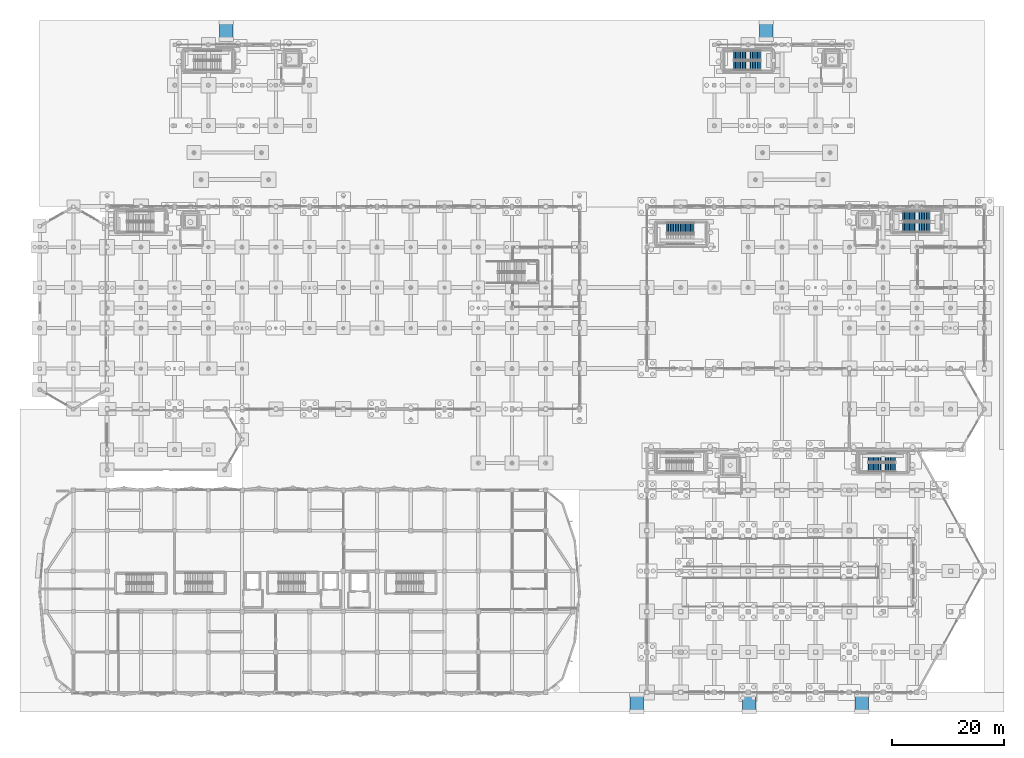
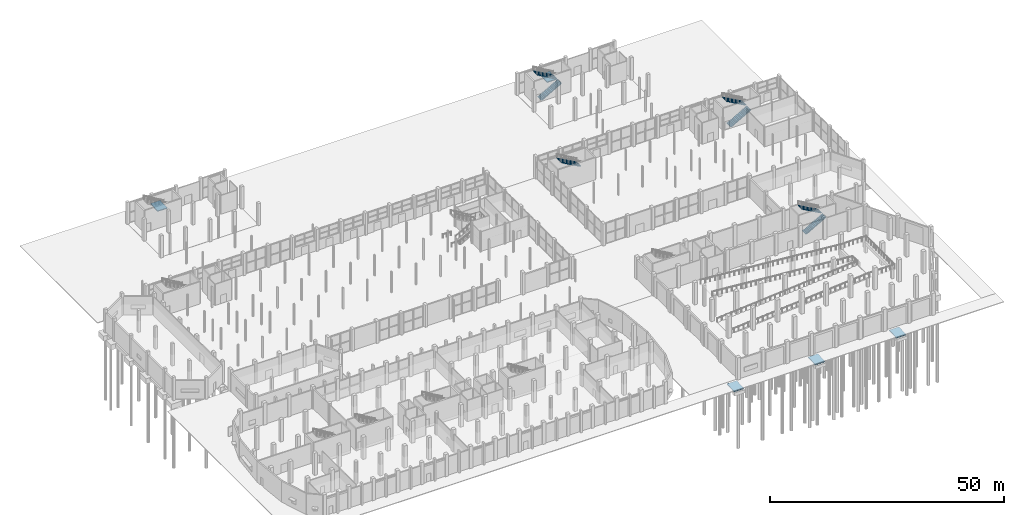
# One storey, part 86 of 103: 7 stair flights, 5 ramp flights, 9 elements without a shape of their own.
"""IFC4 building model written with IfcOpenShell, lengths in metres."""

from ifc_helpers import new_model, si_unit, direction, frame, origin, place, context, subcontext, project, spatial, polyline, outline, extrude, material, layer, layer_set, type_object, element, aggregate, save


model = new_model("IFC4")

# Units and contexts
model_context = context("Model", 3, precision=1e-05, world=origin(), true_north=direction((0.0, 1.0)))
body_context = subcontext(model_context, "Body", "Model", "MODEL_VIEW")
ifc_project = project(units=[si_unit("LENGTHUNIT", "METRE"), si_unit("AREAUNIT", "SQUARE_METRE"), si_unit("VOLUMEUNIT", "CUBIC_METRE"), si_unit("PLANEANGLEUNIT", "RADIAN"), si_unit("MASSUNIT", "GRAM", prefix="KILO")], contexts=[model_context])

# Site, building, storey
site_placement = place(None, origin())
site = spatial("IfcSite", under=ifc_project, at=site_placement, CompositionType="ELEMENT")
building_placement = place(site_placement, origin())
building = spatial("IfcBuilding", under=site, at=building_placement, Name="Dunvalen Ferry Terminal", CompositionType="ELEMENT")
storey_placement = place(building_placement, origin())
storey = spatial("IfcBuildingStorey", under=building, at=storey_placement, Name="L00", CompositionType="ELEMENT", Elevation=0.0)

# Stair, stair flights
ifc_material_1 = material(Name="Concrete C35/45", Category="concrete")
stair_type_1 = type_object("IfcStairType", Name="INT-ST-DLG-03", PredefinedType="HALF_TURN_STAIR", material=ifc_material_1)
stair_1_placement = place(storey_placement, origin())
stair_1 = element("IfcStair", 1, at=stair_1_placement, inside=storey, type_object=stair_type_1, Name="L00 Protected Escape Stair 6", PredefinedType="HALF_TURN_STAIR")
ifc_material_2 = material(Name="Precast concrete C40/50", Category="concrete")
stair_flight_type_1 = type_object("IfcStairFlightType", Name="INT-SFL-STR-03", PredefinedType="STRAIGHT", material=ifc_material_2)
stair_flight_1_placement = place(storey_placement, frame((147.39990234375, 40.02490234375, 0.0), z_axis=(0.0, 0.0, 1.0), x_axis=(1.0, 0.0, 0.0)))
stair_flight_1 = element("IfcStairFlight", 2, at=stair_flight_1_placement, type_object=stair_flight_type_1, Name="ST6 flight 1", NumberOfRisers=17, NumberOfTreads=16, PredefinedType="STRAIGHT", RiserHeight=0.169411765, TreadLength=0.3, context=body_context, shape_type="SweptSolid", body=[
    extrude(outline(polyline([(-0.080078125, 0.0), (-0.080078125, 0.080078125), (0.0, 0.16943359375), (0.300048828125, 0.16943359375), (0.300048828125, 0.3388671875), (0.60009765625, 0.3388671875), (0.60009765625, 0.50830078125), (0.89990234375, 0.50830078125), (0.89990234375, 0.677734375), (1.199951171875, 0.677734375), (1.199951171875, 0.84716796875), (1.5, 0.84716796875), (1.5, 1.016357421875), (1.800048828125, 1.016357421875), (1.800048828125, 1.185791015625), (2.10009765625, 1.185791015625), (2.10009765625, 1.355224609375), (2.39990234375, 1.355224609375), (2.39990234375, 1.524658203125), (2.699951171875, 1.524658203125), (2.699951171875, 1.694091796875), (3.0, 1.694091796875), (3.0, 1.863525390625), (3.300048828125, 1.863525390625), (3.300048828125, 2.032958984375), (3.60009765625, 2.032958984375), (3.60009765625, 2.202392578125), (3.89990234375, 2.202392578125), (3.89990234375, 2.371826171875), (4.199951171875, 2.371826171875), (4.199951171875, 2.541259765625), (4.5, 2.541259765625), (4.5, 2.710693359375), (4.800048828125, 2.710693359375), (4.800048828125, 2.8798828125), (4.880126953125, 2.8798828125), (4.880126953125, 2.719970703125), (4.800048828125, 2.538330078125), (0.304931640625, 0.0), (-0.080078125, 0.0)])), frame((0.0, 0.77490234375, 0.0), z_axis=(0.0, -1.0, 0.0), x_axis=(1.0, 0.0, 0.0)), (0.0, 0.0, 1.0), 1.550048828125),
])
stair_flight_2_placement = place(storey_placement, frame((152.199951171875, 41.77490234375, 2.8798828125), z_axis=(0.0, 0.0, 1.0), x_axis=(-1.0, 0.0, 0.0)))
stair_flight_2 = element("IfcStairFlight", 3, at=stair_flight_2_placement, type_object=stair_flight_type_1, Name="ST6 flight 2", NumberOfRisers=17, NumberOfTreads=16, PredefinedType="STRAIGHT", RiserHeight=0.169411765, TreadLength=0.3, context=body_context, shape_type="SweptSolid", body=[
    extrude(outline(polyline([(-0.080078125, 0.0), (-0.080078125, 0.080078125), (0.0, 0.16943359375), (0.300048828125, 0.16943359375), (0.300048828125, 0.3388671875), (0.60009765625, 0.3388671875), (0.60009765625, 0.50830078125), (0.89990234375, 0.50830078125), (0.89990234375, 0.677734375), (1.199951171875, 0.677734375), (1.199951171875, 0.84716796875), (1.5, 0.84716796875), (1.5, 1.016357421875), (1.800048828125, 1.016357421875), (1.800048828125, 1.185791015625), (2.10009765625, 1.185791015625), (2.10009765625, 1.355224609375), (2.39990234375, 1.355224609375), (2.39990234375, 1.524658203125), (2.699951171875, 1.524658203125), (2.699951171875, 1.694091796875), (3.0, 1.694091796875), (3.0, 1.863525390625), (3.300048828125, 1.863525390625), (3.300048828125, 2.032958984375), (3.60009765625, 2.032958984375), (3.60009765625, 2.202392578125), (3.89990234375, 2.202392578125), (3.89990234375, 2.371826171875), (4.199951171875, 2.371826171875), (4.199951171875, 2.541259765625), (4.5, 2.541259765625), (4.5, 2.710693359375), (4.800048828125, 2.710693359375), (4.800048828125, 2.8798828125), (4.880126953125, 2.8798828125), (4.880126953125, 2.719970703125), (4.800048828125, 2.538330078125), (0.304931640625, 0.0), (-0.080078125, 0.0)])), frame((0.0, 0.77490234375, 0.0), z_axis=(0.0, -1.0, 0.0), x_axis=(1.0, 0.0, 0.0)), (0.0, 0.0, 1.0), 1.550048828125),
])
aggregate(stair_1, [stair_flight_1, stair_flight_2])

stair_type_2 = type_object("IfcStairType", Name="INT-ST-DLG-06", PredefinedType="HALF_TURN_STAIR", material=ifc_material_1)
stair_2_placement = place(storey_placement, origin())
stair_2 = element("IfcStair", 4, at=stair_2_placement, inside=storey, type_object=stair_type_2, Name="L00 Berth 2 Pavilion Escape Stair 12", PredefinedType="HALF_TURN_STAIR")
stair_flight_type_2 = type_object("IfcStairFlightType", Name="INT-SFL-STR-06", PredefinedType="STRAIGHT", material=ifc_material_2)
stair_flight_3_placement = place(storey_placement, frame((123.449951171875, 111.47509765625, 0.0), z_axis=(0.0, 0.0, 1.0), x_axis=(1.0, 0.0, 0.0)))
stair_flight_3 = element("IfcStairFlight", 5, at=stair_flight_3_placement, type_object=stair_flight_type_2, Name="ST12 flight 1", NumberOfRisers=17, NumberOfTreads=16, PredefinedType="STRAIGHT", RiserHeight=0.169411765, TreadLength=0.3, context=body_context, shape_type="SweptSolid", body=[
    extrude(outline(polyline([(-0.080078125, 0.0), (-0.080078125, 0.080078125), (0.0, 0.16943359375), (0.300048828125, 0.16943359375), (0.300048828125, 0.3388671875), (0.60009765625, 0.3388671875), (0.60009765625, 0.50830078125), (0.89990234375, 0.50830078125), (0.89990234375, 0.677734375), (1.199951171875, 0.677734375), (1.199951171875, 0.84716796875), (1.5, 0.84716796875), (1.5, 1.016357421875), (1.800048828125, 1.016357421875), (1.800048828125, 1.185791015625), (2.10009765625, 1.185791015625), (2.10009765625, 1.355224609375), (2.39990234375, 1.355224609375), (2.39990234375, 1.524658203125), (2.699951171875, 1.524658203125), (2.699951171875, 1.694091796875), (3.0, 1.694091796875), (3.0, 1.863525390625), (3.300048828125, 1.863525390625), (3.300048828125, 2.032958984375), (3.60009765625, 2.032958984375), (3.60009765625, 2.202392578125), (3.89990234375, 2.202392578125), (3.89990234375, 2.371826171875), (4.199951171875, 2.371826171875), (4.199951171875, 2.541259765625), (4.5, 2.541259765625), (4.5, 2.710693359375), (4.800048828125, 2.710693359375), (4.800048828125, 2.8798828125), (4.880126953125, 2.8798828125), (4.880126953125, 2.719970703125), (4.800048828125, 2.538330078125), (0.304931640625, 0.0), (-0.080078125, 0.0)])), frame((0.0, 0.824951171875, 0.0), z_axis=(0.0, -1.0, 0.0), x_axis=(1.0, 0.0, 0.0)), (0.0, 0.0, 1.0), 1.64990234375),
])
stair_flight_4_placement = place(storey_placement, frame((128.25, 113.324951171875, 2.8798828125), z_axis=(0.0, 0.0, 1.0), x_axis=(-1.0, 0.0, 0.0)))
stair_flight_4 = element("IfcStairFlight", 6, at=stair_flight_4_placement, type_object=stair_flight_type_2, Name="ST12 flight 2", NumberOfRisers=17, NumberOfTreads=16, PredefinedType="STRAIGHT", RiserHeight=0.169411765, TreadLength=0.3, context=body_context, shape_type="SweptSolid", body=[
    extrude(outline(polyline([(-0.080078125, 0.0), (-0.080078125, 0.080078125), (0.0, 0.16943359375), (0.300048828125, 0.16943359375), (0.300048828125, 0.3388671875), (0.60009765625, 0.3388671875), (0.60009765625, 0.50830078125), (0.89990234375, 0.50830078125), (0.89990234375, 0.677734375), (1.199951171875, 0.677734375), (1.199951171875, 0.84716796875), (1.5, 0.84716796875), (1.5, 1.016357421875), (1.800048828125, 1.016357421875), (1.800048828125, 1.185791015625), (2.10009765625, 1.185791015625), (2.10009765625, 1.355224609375), (2.39990234375, 1.355224609375), (2.39990234375, 1.524658203125), (2.699951171875, 1.524658203125), (2.699951171875, 1.694091796875), (3.0, 1.694091796875), (3.0, 1.863525390625), (3.300048828125, 1.863525390625), (3.300048828125, 2.032958984375), (3.60009765625, 2.032958984375), (3.60009765625, 2.202392578125), (3.89990234375, 2.202392578125), (3.89990234375, 2.371826171875), (4.199951171875, 2.371826171875), (4.199951171875, 2.541259765625), (4.5, 2.541259765625), (4.5, 2.710693359375), (4.800048828125, 2.710693359375), (4.800048828125, 2.8798828125), (4.880126953125, 2.8798828125), (4.880126953125, 2.719970703125), (4.800048828125, 2.538330078125), (0.304931640625, 0.0), (-0.080078125, 0.0)])), frame((0.0, 0.824951171875, 0.0), z_axis=(0.0, -1.0, 0.0), x_axis=(1.0, 0.0, 0.0)), (0.0, 0.0, 1.0), 1.64990234375),
])
aggregate(stair_2, [stair_flight_3, stair_flight_4])

# Stair, stair flight
stair_type_3 = type_object("IfcStairType", Name="INT-ST-DLG-09", PredefinedType="HALF_TURN_STAIR", material=ifc_material_1)
stair_3_placement = place(storey_placement, origin())
stair_3 = element("IfcStair", 7, at=stair_3_placement, inside=storey, type_object=stair_type_3, Name="L00 Border Concourse Stair 10", PredefinedType="HALF_TURN_STAIR")
stair_flight_type_3 = type_object("IfcStairFlightType", Name="INT-SFL-STR-09", PredefinedType="STRAIGHT", material=ifc_material_2)
stair_flight_5_placement = place(storey_placement, frame((116.35009765625, 82.625, 2.8798828125), z_axis=(0.0, 0.0, 1.0), x_axis=(-1.0, 0.0, 0.0)))
stair_flight_5 = element("IfcStairFlight", 8, at=stair_flight_5_placement, type_object=stair_flight_type_3, Name="ST10 flight 2", NumberOfRisers=17, NumberOfTreads=16, PredefinedType="STRAIGHT", RiserHeight=0.169411765, TreadLength=0.3, context=body_context, shape_type="SweptSolid", body=[
    extrude(outline(polyline([(-0.080078125, 0.0), (-0.080078125, 0.080078125), (0.0, 0.16943359375), (0.300048828125, 0.16943359375), (0.300048828125, 0.3388671875), (0.60009765625, 0.3388671875), (0.60009765625, 0.50830078125), (0.89990234375, 0.50830078125), (0.89990234375, 0.677734375), (1.199951171875, 0.677734375), (1.199951171875, 0.84716796875), (1.5, 0.84716796875), (1.5, 1.016357421875), (1.800048828125, 1.016357421875), (1.800048828125, 1.185791015625), (2.10009765625, 1.185791015625), (2.10009765625, 1.355224609375), (2.39990234375, 1.355224609375), (2.39990234375, 1.524658203125), (2.699951171875, 1.524658203125), (2.699951171875, 1.694091796875), (3.0, 1.694091796875), (3.0, 1.863525390625), (3.300048828125, 1.863525390625), (3.300048828125, 2.032958984375), (3.60009765625, 2.032958984375), (3.60009765625, 2.202392578125), (3.89990234375, 2.202392578125), (3.89990234375, 2.371826171875), (4.199951171875, 2.371826171875), (4.199951171875, 2.541259765625), (4.5, 2.541259765625), (4.5, 2.710693359375), (4.800048828125, 2.710693359375), (4.800048828125, 2.8798828125), (4.880126953125, 2.8798828125), (4.880126953125, 2.719970703125), (4.800048828125, 2.538330078125), (0.304931640625, 0.0), (-0.080078125, 0.0)])), frame((0.0, 0.925048828125, 0.0), z_axis=(0.0, -1.0, 0.0), x_axis=(1.0, 0.0, 0.0)), (0.0, 0.0, 1.0), 1.85009765625),
])
aggregate(stair_3, [stair_flight_5])

# Stair, stair flights
stair_type_4 = type_object("IfcStairType", Name="INT-ST-DLG-12", PredefinedType="HALF_TURN_STAIR", material=ifc_material_1)
stair_4_placement = place(storey_placement, origin())
stair_4 = element("IfcStair", 9, at=stair_4_placement, inside=storey, type_object=stair_type_4, Name="L00 Arrivals Hall Quay Escape Stair 9", PredefinedType="HALF_TURN_STAIR")
stair_flight_type_4 = type_object("IfcStairFlightType", Name="INT-SFL-STR-12", PredefinedType="STRAIGHT", material=ifc_material_2)
stair_flight_6_placement = place(storey_placement, frame((153.5, 82.72509765625, 0.0), z_axis=(0.0, 0.0, 1.0), x_axis=(1.0, 0.0, 0.0)))
stair_flight_6 = element("IfcStairFlight", 10, at=stair_flight_6_placement, type_object=stair_flight_type_4, Name="ST9 flight 1", NumberOfRisers=17, NumberOfTreads=16, PredefinedType="STRAIGHT", RiserHeight=0.169411765, TreadLength=0.3, context=body_context, shape_type="SweptSolid", body=[
    extrude(outline(polyline([(-0.080078125, 0.0), (-0.080078125, 0.080078125), (0.0, 0.16943359375), (0.300048828125, 0.16943359375), (0.300048828125, 0.3388671875), (0.60009765625, 0.3388671875), (0.60009765625, 0.50830078125), (0.89990234375, 0.50830078125), (0.89990234375, 0.677734375), (1.199951171875, 0.677734375), (1.199951171875, 0.84716796875), (1.5, 0.84716796875), (1.5, 1.016357421875), (1.800048828125, 1.016357421875), (1.800048828125, 1.185791015625), (2.10009765625, 1.185791015625), (2.10009765625, 1.355224609375), (2.39990234375, 1.355224609375), (2.39990234375, 1.524658203125), (2.699951171875, 1.524658203125), (2.699951171875, 1.694091796875), (3.0, 1.694091796875), (3.0, 1.863525390625), (3.300048828125, 1.863525390625), (3.300048828125, 2.032958984375), (3.60009765625, 2.032958984375), (3.60009765625, 2.202392578125), (3.89990234375, 2.202392578125), (3.89990234375, 2.371826171875), (4.199951171875, 2.371826171875), (4.199951171875, 2.541259765625), (4.5, 2.541259765625), (4.5, 2.710693359375), (4.800048828125, 2.710693359375), (4.800048828125, 2.8798828125), (4.880126953125, 2.8798828125), (4.880126953125, 2.719970703125), (4.800048828125, 2.538330078125), (0.304931640625, 0.0), (-0.080078125, 0.0)])), frame((0.0, 0.875, 0.0), z_axis=(0.0, -1.0, 0.0), x_axis=(1.0, 0.0, 0.0)), (0.0, 0.0, 1.0), 1.75),
])
stair_flight_7_placement = place(storey_placement, frame((158.300048828125, 84.675048828125, 2.8798828125), z_axis=(0.0, 0.0, 1.0), x_axis=(-1.0, 0.0, 0.0)))
stair_flight_7 = element("IfcStairFlight", 11, at=stair_flight_7_placement, type_object=stair_flight_type_4, Name="ST9 flight 2", NumberOfRisers=17, NumberOfTreads=16, PredefinedType="STRAIGHT", RiserHeight=0.169411765, TreadLength=0.3, context=body_context, shape_type="SweptSolid", body=[
    extrude(outline(polyline([(-0.080078125, 0.0), (-0.080078125, 0.080078125), (0.0, 0.16943359375), (0.300048828125, 0.16943359375), (0.300048828125, 0.3388671875), (0.60009765625, 0.3388671875), (0.60009765625, 0.50830078125), (0.89990234375, 0.50830078125), (0.89990234375, 0.677734375), (1.199951171875, 0.677734375), (1.199951171875, 0.84716796875), (1.5, 0.84716796875), (1.5, 1.016357421875), (1.800048828125, 1.016357421875), (1.800048828125, 1.185791015625), (2.10009765625, 1.185791015625), (2.10009765625, 1.355224609375), (2.39990234375, 1.355224609375), (2.39990234375, 1.524658203125), (2.699951171875, 1.524658203125), (2.699951171875, 1.694091796875), (3.0, 1.694091796875), (3.0, 1.863525390625), (3.300048828125, 1.863525390625), (3.300048828125, 2.032958984375), (3.60009765625, 2.032958984375), (3.60009765625, 2.202392578125), (3.89990234375, 2.202392578125), (3.89990234375, 2.371826171875), (4.199951171875, 2.371826171875), (4.199951171875, 2.541259765625), (4.5, 2.541259765625), (4.5, 2.710693359375), (4.800048828125, 2.710693359375), (4.800048828125, 2.8798828125), (4.880126953125, 2.8798828125), (4.880126953125, 2.719970703125), (4.800048828125, 2.538330078125), (0.304931640625, 0.0), (-0.080078125, 0.0)])), frame((0.0, 0.875, 0.0), z_axis=(0.0, -1.0, 0.0), x_axis=(1.0, 0.0, 0.0)), (0.0, 0.0, 1.0), 1.75),
])
aggregate(stair_4, [stair_flight_6, stair_flight_7])

# Ramp, ramp flight
ifc_material_3 = material(Name="Concrete C40/50", Category="concrete")
ramp_type = type_object("IfcRampType", Name="STR-RMP-PED", PredefinedType="STRAIGHT_RUN_RAMP", material=ifc_material_3)
ramp_1_placement = place(storey_placement, origin())
ramp_1 = element("IfcRamp", 12, at=ramp_1_placement, inside=storey, type_object=ramp_type, Name="Accessible Quay Approach Ramp AR-01", PredefinedType="STRAIGHT_RUN_RAMP")
ifc_layer = layer(ifc_material_3, 0.219970703125, Name="Concrete C40/50")
ifc_layer_set = layer_set([ifc_layer], Name="Concrete C40/50")
ramp_flight_type = type_object("IfcRampFlightType", Name="STR-RFL-PED220", PredefinedType="STRAIGHT", material=ifc_layer_set)
ramp_flight_1_placement = place(storey_placement, frame((105.0, -3.39990234375, -0.14990234375), z_axis=(0.0, -0.049905186472, 0.998753959874), x_axis=(1.0, 0.0, 0.0)))
ramp_flight_1 = element("IfcRampFlight", 13, at=ramp_flight_1_placement, type_object=ramp_flight_type, Name="Accessible Quay Approach Ramp Flight AR-01", PredefinedType="STRAIGHT", context=body_context, shape_type="SweptSolid", body=[
    extrude(outline(polyline([(0.0, 0.0), (2.39990234375, 0.0), (2.39990234375, 3.003742784038231), (0.0, 3.003742784038231), (0.0, 0.0)])), origin(), (0.0, 0.0, -1.0), 0.219970703125),
])
aggregate(ramp_1, [ramp_flight_1])

ramp_2_placement = place(storey_placement, origin())
ramp_2 = element("IfcRamp", 14, at=ramp_2_placement, inside=storey, type_object=ramp_type, Name="Accessible Quay Approach Ramp AR-02", PredefinedType="STRAIGHT_RUN_RAMP")
ramp_flight_2_placement = place(storey_placement, frame((125.0, -3.39990234375, -0.14990234375), z_axis=(0.0, -0.049905186472, 0.998753959874), x_axis=(1.0, 0.0, 0.0)))
ramp_flight_2 = element("IfcRampFlight", 15, at=ramp_flight_2_placement, type_object=ramp_flight_type, Name="Accessible Quay Approach Ramp Flight AR-02", PredefinedType="STRAIGHT", context=body_context, shape_type="SweptSolid", body=[
    extrude(outline(polyline([(0.0, 0.0), (2.39990234375, 0.0), (2.39990234375, 3.003742784038231), (0.0, 3.003742784038231), (0.0, 0.0)])), origin(), (0.0, 0.0, -1.0), 0.219970703125),
])
aggregate(ramp_2, [ramp_flight_2])

ramp_3_placement = place(storey_placement, origin())
ramp_3 = element("IfcRamp", 16, at=ramp_3_placement, inside=storey, type_object=ramp_type, Name="Accessible Quay Approach Ramp AR-03", PredefinedType="STRAIGHT_RUN_RAMP")
ramp_flight_3_placement = place(storey_placement, frame((145.0, -3.39990234375, -0.14990234375), z_axis=(0.0, -0.049905186472, 0.998753959874), x_axis=(1.0, 0.0, 0.0)))
ramp_flight_3 = element("IfcRampFlight", 17, at=ramp_flight_3_placement, type_object=ramp_flight_type, Name="Accessible Quay Approach Ramp Flight AR-03", PredefinedType="STRAIGHT", context=body_context, shape_type="SweptSolid", body=[
    extrude(outline(polyline([(0.0, 0.0), (2.39990234375, 0.0), (2.39990234375, 3.003742784038231), (0.0, 3.003742784038231), (0.0, 0.0)])), origin(), (0.0, 0.0, -1.0), 0.219970703125),
])
aggregate(ramp_3, [ramp_flight_3])

ramp_4_placement = place(storey_placement, origin())
ramp_4 = element("IfcRamp", 18, at=ramp_4_placement, inside=storey, type_object=ramp_type, Name="Accessible Quay Approach Ramp AR-04", PredefinedType="STRAIGHT_RUN_RAMP")
ramp_flight_4_placement = place(storey_placement, frame((32.0, 116.199951171875, -0.14990234375), z_axis=(0.0, -0.049905186472, 0.998753959874), x_axis=(1.0, 0.0, 0.0)))
ramp_flight_4 = element("IfcRampFlight", 19, at=ramp_flight_4_placement, type_object=ramp_flight_type, Name="Accessible Quay Approach Ramp Flight AR-04", PredefinedType="STRAIGHT", context=body_context, shape_type="SweptSolid", body=[
    extrude(outline(polyline([(0.0, 0.0), (2.39990234375, 0.0), (2.39990234375, 3.003742784038231), (0.0, 3.003742784038231), (0.0, 0.0)])), origin(), (0.0, 0.0, -1.0), 0.219970703125),
])
aggregate(ramp_4, [ramp_flight_4])

ramp_5_placement = place(storey_placement, origin())
ramp_5 = element("IfcRamp", 20, at=ramp_5_placement, inside=storey, type_object=ramp_type, Name="Accessible Quay Approach Ramp AR-05", PredefinedType="STRAIGHT_RUN_RAMP")
ramp_flight_5_placement = place(storey_placement, frame((128.0, 116.199951171875, -0.14990234375), z_axis=(0.0, -0.049905186472, 0.998753959874), x_axis=(1.0, 0.0, 0.0)))
ramp_flight_5 = element("IfcRampFlight", 21, at=ramp_flight_5_placement, type_object=ramp_flight_type, Name="Accessible Quay Approach Ramp Flight AR-05", PredefinedType="STRAIGHT", context=body_context, shape_type="SweptSolid", body=[
    extrude(outline(polyline([(0.0, 0.0), (2.39990234375, 0.0), (2.39990234375, 3.003742784038231), (0.0, 3.003742784038231), (0.0, 0.0)])), origin(), (0.0, 0.0, -1.0), 0.219970703125),
])
aggregate(ramp_5, [ramp_flight_5])

save(model, "model.ifc")
